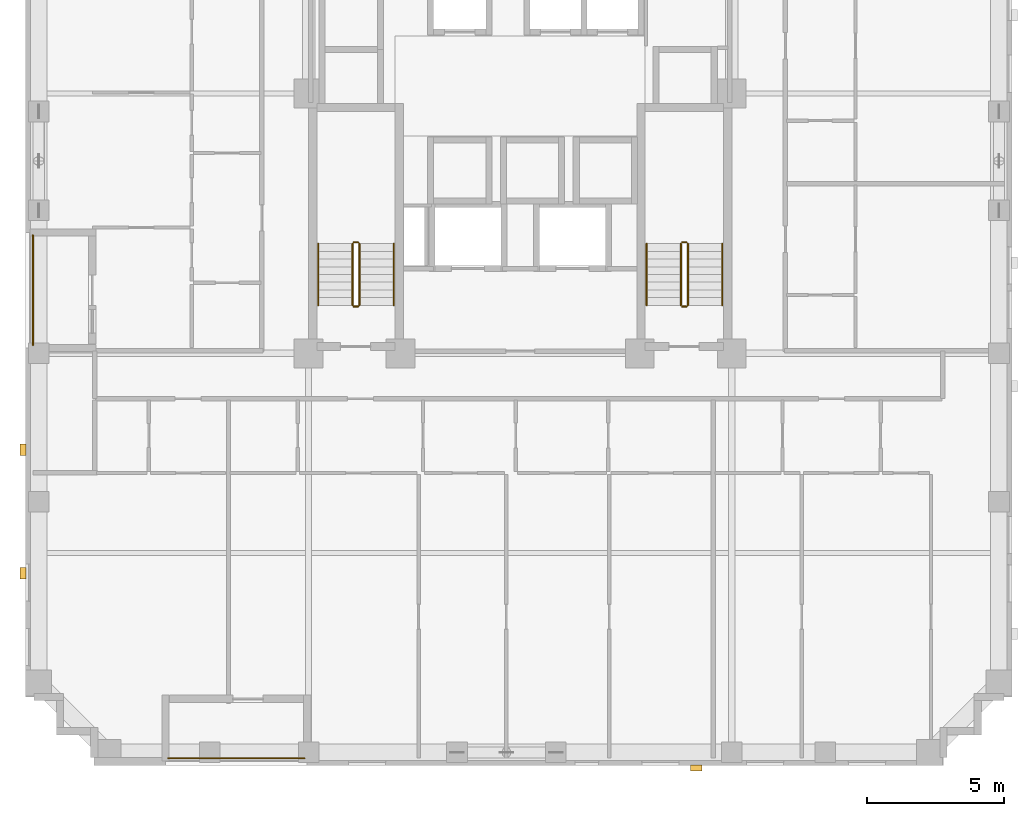
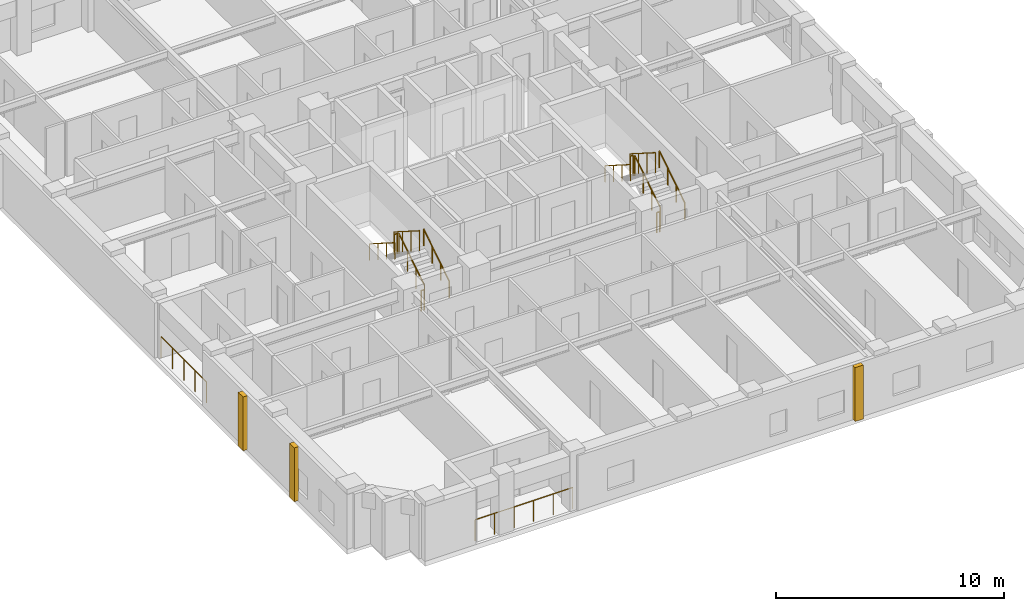
# One storey, part 11 of 12: 14 railings, 3 coverings.
"""IFC4 building model written with IfcOpenShell, lengths in metres."""

import ifcopenshell
import ifcopenshell.guid

model = None  # the IFC model being written
_history = None  # IfcOwnerHistory: only IFC2X3 demands one
_inside = {}  # id of a spatial element -> (the spatial element, [elements in it])
_under = {}  # id of a project, library or spatial element -> (it, [spatial elements below it])
_declared = {}  # id of a project -> (the project, [libraries it declares])
_typed = {}  # id of a type object -> (the type object, [elements of that type])
_made_of = {}  # id of a material, layer set ... -> (it, [elements and type objects made of it])


def new_model(schema):
    """Start an empty IFC model of exactly this schema.

    Asked for "IFC4X3", IfcOpenShell would pick the latest addendum, in which some entities
    have other attributes; the version numbers below select the first issue.
    IFC2X3 requires an IfcOwnerHistory on every rooted entity: one is made here for all.
    """
    global model, _history
    if schema == "IFC4X3":
        model = ifcopenshell.file(schema_version=(4, 3, 0, 0))
    else:
        model = ifcopenshell.file(schema=schema)
    _inside.clear()
    _under.clear()
    _declared.clear()
    _typed.clear()
    _made_of.clear()
    _history = None
    if model.schema == "IFC2X3":
        org = make("IfcOrganization", Name="unknown")
        user = make(
            "IfcPersonAndOrganization",
            ThePerson=make("IfcPerson", FamilyName="unknown"),
            TheOrganization=org,
        )
        app = make(
            "IfcApplication",
            ApplicationDeveloper=org,
            Version="unknown",
            ApplicationFullName="unknown",
            ApplicationIdentifier="unknown",
        )
        _history = make(
            "IfcOwnerHistory",
            OwningUser=user,
            OwningApplication=app,
            ChangeAction="ADDED",
            CreationDate=0,
        )
    return model


def make(cls, **values):
    """One entity of the class cls with the attributes given. An attribute that is None is left unset."""
    return model.create_entity(
        cls, **{name: value for name, value in values.items() if value is not None}
    )


def rooted(cls, **values):
    """An entity with a GlobalId (a new one), such as an element, a storey or a relation."""
    return make(cls, GlobalId=ifcopenshell.guid.new(), OwnerHistory=_history, **values)


def si_unit(unit_type, name, prefix=None):
    """IfcSIUnit, for example si_unit("LENGTHUNIT", "METRE", prefix="MILLI")."""
    return make("IfcSIUnit", UnitType=unit_type, Prefix=prefix, Name=name)


def derived_unit(unit_type, elements):
    """IfcDerivedUnit: a product of units, each with its exponent."""
    return make(
        "IfcDerivedUnit",
        Elements=[
            make("IfcDerivedUnitElement", Unit=unit, Exponent=power)
            for unit, power in elements
        ],
        UnitType=unit_type,
    )


def assignment(units):
    """IfcUnitAssignment: the units of a project."""
    return None if units is None else make("IfcUnitAssignment", Units=units)


def point(xyz):
    """IfcCartesianPoint."""
    return None if xyz is None else make("IfcCartesianPoint", Coordinates=xyz)


def direction(xyz):
    """IfcDirection."""
    return None if xyz is None else make("IfcDirection", DirectionRatios=xyz)


def frame(location, z_axis=None, x_axis=None):
    """IfcAxis2Placement3D, a coordinate frame: its origin and axes. An axis left out is left unset."""
    return make(
        "IfcAxis2Placement3D",
        Location=point(location),
        Axis=direction(z_axis),
        RefDirection=direction(x_axis),
    )


def frame_2d(location, x_axis=None):
    """IfcAxis2Placement2D, a coordinate frame in the plane: its origin and x axis."""
    return make(
        "IfcAxis2Placement2D", Location=point(location), RefDirection=direction(x_axis)
    )


def origin():
    """The frame at (0, 0, 0) with its axes left unset."""
    return frame((0.0, 0.0, 0.0))


def origin_2d():
    """The frame at (0, 0) in the plane with its x axis left unset."""
    return frame_2d((0.0, 0.0))


def place(relative_to, where):
    """IfcLocalPlacement: puts the frame where relative to a parent placement (None: the world)."""
    return make(
        "IfcLocalPlacement", PlacementRelTo=relative_to, RelativePlacement=where
    )


def context(
    kind, dimensions, precision=None, world=None, true_north=None, identifier=None
):
    """IfcGeometricRepresentationContext, for example the 3D "Model" context."""
    return make(
        "IfcGeometricRepresentationContext",
        ContextIdentifier=identifier,
        ContextType=kind,
        CoordinateSpaceDimension=dimensions,
        Precision=precision,
        WorldCoordinateSystem=world,
        TrueNorth=true_north,
    )


def subcontext(parent, identifier, kind, view, scale=None):
    """IfcGeometricRepresentationSubContext, for example "Body" below "Model"."""
    return make(
        "IfcGeometricRepresentationSubContext",
        ContextIdentifier=identifier,
        ContextType=kind,
        ParentContext=parent,
        TargetScale=scale,
        TargetView=view,
    )


def project(units=None, contexts=None):
    """IfcProject with its units and contexts."""
    return rooted(
        "IfcProject",
        Name="project",
        RepresentationContexts=contexts,
        UnitsInContext=assignment(units),
    )


def spatial(cls, under=None, at=None, **own):
    """A site, building, storey or space (cls), placed at a placement, below another one or the project."""
    s = rooted(cls, ObjectPlacement=at, **own)
    if under is not None:
        _under.setdefault(under.id(), (under, []))[1].append(s)
    return s


def profile(cls, at=None, kind="AREA", **sizes):
    """A parametric profile (cls). Its sizes go by their IFC names, for example OverallWidth=200.0."""
    return make(cls, ProfileType=kind, Position=at, **sizes)


def rectangle(**sizes):
    """IfcRectangleProfileDef."""
    return profile("IfcRectangleProfileDef", **sizes)


def circle(**sizes):
    """IfcCircleProfileDef."""
    return profile("IfcCircleProfileDef", **sizes)


def extrude(swept, where, along, depth):
    """IfcExtrudedAreaSolid: the profile swept, set in the frame where, extruded along a direction by depth."""
    return make(
        "IfcExtrudedAreaSolid",
        SweptArea=swept,
        Position=where,
        ExtrudedDirection=direction(along),
        Depth=depth,
    )


def shape(context_of_items, identifier, shape_type, items):
    """IfcShapeRepresentation: the items that make up one representation, for example the "Body"."""
    return make(
        "IfcShapeRepresentation",
        ContextOfItems=context_of_items,
        RepresentationIdentifier=identifier,
        RepresentationType=shape_type,
        Items=items,
    )


def material(Name=None, Category=None):
    """IfcMaterial."""
    return make("IfcMaterial", Name=Name, Category=Category)


def layer(
    of_material, thickness, ventilated=None, Name=None, Category=None, Priority=None
):
    """IfcMaterialLayer: one layer of a wall or slab, of a material (None: an air gap)."""
    return make(
        "IfcMaterialLayer",
        Material=of_material,
        LayerThickness=thickness,
        IsVentilated=ventilated,
        Name=Name,
        Category=Category,
        Priority=Priority,
    )


def layer_set(layers, Name=None):
    """IfcMaterialLayerSet."""
    return make("IfcMaterialLayerSet", MaterialLayers=layers, LayerSetName=Name)


def made_of(thing, what):
    """Note that an element or type object is made of a material, layer set ...; save() writes the relation."""
    if what is not None:
        _made_of.setdefault(what.id(), (what, []))[1].append(thing)
    return thing


def type_object(cls, material=None, **own):
    """A type object (cls), such as IfcWallType, which elements share."""
    return made_of(rooted(cls, **own), material)


def element(
    cls,
    number,
    at=None,
    inside=None,
    cuts=None,
    type_object=None,
    material=None,
    context=None,
    identifier="Body",
    shape_type=None,
    held_by="IfcProductDefinitionShape",
    body=None,
    shapes=None,
    **own,
):
    """One element of the class cls, such as IfcWall. Its Tag is "e" and its number.

    at: its placement. inside: the storey or other place that contains it. cuts: it is an
    opening in that element (IfcRelVoidsElement). A single representation is given by context,
    identifier, shape_type and body (its items); several are given by shapes. held_by: the class
    of the entity that holds the representations. save() writes the other relations.
    """
    e = rooted(cls, Tag="e%d" % number, ObjectPlacement=at, **own)
    if body is not None:
        shapes = [shape(context, identifier, shape_type, body)]
    if shapes is not None:
        e.Representation = make(held_by, Representations=shapes)
    if inside is not None:
        _inside.setdefault(inside.id(), (inside, []))[1].append(e)
    if cuts is not None:
        rooted(
            "IfcRelVoidsElement", RelatingBuildingElement=cuts, RelatedOpeningElement=e
        )
    if type_object is not None:
        _typed.setdefault(type_object.id(), (type_object, []))[1].append(e)
    return made_of(e, material)


def aggregate(whole, parts):
    """IfcRelAggregates: a whole, such as a stair, and the parts it consists of."""
    return rooted("IfcRelAggregates", RelatingObject=whole, RelatedObjects=parts)


def save(model, path):
    """Write the relations noted so far, then the file.

    IfcRelAggregates (storeys below a building ...), IfcRelContainedInSpatialStructure (elements
    in a storey), IfcRelDefinesByType, IfcRelAssociatesMaterial and IfcRelDeclares: one each for
    every whole, place, type object, material and project.
    """
    for whole, parts in _under.values():
        aggregate(whole, parts)
    for where, things in _inside.values():
        rooted(
            "IfcRelContainedInSpatialStructure",
            RelatedElements=things,
            RelatingStructure=where,
        )
    for kind, things in _typed.values():
        rooted("IfcRelDefinesByType", RelatedObjects=things, RelatingType=kind)
    for what, things in _made_of.values():
        rooted("IfcRelAssociatesMaterial", RelatedObjects=things, RelatingMaterial=what)
    for by, libraries in _declared.values():
        rooted("IfcRelDeclares", RelatingContext=by, RelatedDefinitions=libraries)
    model.write(path)


model = new_model("IFC4")

# Units and contexts
model_context = context("Model", 3, precision=1e-05, world=origin(), true_north=direction((0.0, 1.0)))
body_context = subcontext(model_context, "Body", "Model", "MODEL_VIEW")
ifc_project = project(units=[si_unit("LENGTHUNIT", "METRE"), si_unit("AREAUNIT", "SQUARE_METRE"), si_unit("VOLUMEUNIT", "CUBIC_METRE"), si_unit("PLANEANGLEUNIT", "RADIAN"), si_unit("MASSUNIT", "GRAM", prefix="KILO"), derived_unit("THERMALTRANSMITTANCEUNIT", [(si_unit("MASSUNIT", "GRAM", prefix="KILO"), 1), (si_unit("TIMEUNIT", "SECOND"), -3), (si_unit("THERMODYNAMICTEMPERATUREUNIT", "KELVIN"), -1)])], contexts=[model_context])

# Site, building, storey
site_placement = place(None, origin())
site = spatial("IfcSite", under=ifc_project, at=site_placement, CompositionType="ELEMENT")
building_placement = place(site_placement, origin())
building = spatial("IfcBuilding", under=site, at=building_placement, Name="Korrvale Station Residences", CompositionType="ELEMENT")
storey_placement = place(building_placement, frame((0.0, 0.0, 107.10009765625)))
storey = spatial("IfcBuildingStorey", under=building, at=storey_placement, Name="L30", CompositionType="ELEMENT", Elevation=107.10009765625)

# Coverings
ifc_material_1 = material(Name="Architectural precast concrete C45/55", Category="concrete")
ifc_layer = layer(ifc_material_1, 0.219970703125, Name="Architectural precast concrete C45/55")
ifc_layer_set = layer_set([ifc_layer], Name="Architectural precast concrete C45/55")
covering_type = type_object("IfcCoveringType", Name="COV-PIER-400", PredefinedType="CLADDING", material=ifc_layer_set)
for number, where, z_axis, x_axis, name in (
    (1, (31.89990234375, -0.090087890625, 0.02490234375), (0.0, 0.0, 1.0), (1.0, 0.0, 0.0), "L30 Architectural Precast Facade Pier 01"),
    (2, (7.409912109375, 7.0, 0.02490234375), (0.0, 0.0, 1.0), (0.0, 1.0, 0.0), "L30 Architectural Precast Facade Pier 04"),
    (3, (7.409912109375, 11.5, 0.02490234375), (0.0, 0.0, 1.0), (0.0, 1.0, 0.0), "L30 Architectural Precast Facade Pier 05"),
):
    element("IfcCovering", number, at=place(storey_placement, frame(where, z_axis=z_axis, x_axis=x_axis)), inside=storey, type_object=covering_type, Name=name, PredefinedType="CLADDING", context=body_context, shape_type="SweptSolid", body=[
        extrude(rectangle(XDim=0.419921875, YDim=0.219970703125, at=origin_2d()), origin(), (0.0, 0.0, 1.0), 2.889892578125),
    ])

# Railings
ifc_material_2 = material(Name="Powder-coated aluminium picket loggia guard", Category="aluminium")
railing_type_1 = type_object("IfcRailingType", Name="RLG-BAL-1150", PredefinedType="GUARDRAIL", material=ifc_material_2)
railing_1_placement = place(storey_placement, frame((12.699951171875, 0.27001953125, 0.0)))
element("IfcRailing", 4, at=railing_1_placement, inside=storey, type_object=railing_type_1, Name="L30 Recessed Loggia Guardrail BAL-L30-S1", PredefinedType="GUARDRAIL", context=body_context, shape_type="SweptSolid", body=[
    extrude(circle(Radius=0.02392578125, at=origin_2d()), frame((0.0, 0.0, 1.1259765625), z_axis=(1.0, 0.0, 0.0), x_axis=(0.0, 1.0, 0.0)), (0.0, 0.0, 1.0), 4.949951171875),
    extrude(circle(Radius=0.02099609375, at=origin_2d()), origin(), (0.0, 0.0, 1.0), 1.101806640625),
    extrude(circle(Radius=0.02099609375, at=origin_2d()), frame((0.989990234375, 0.0, 0.0)), (0.0, 0.0, 1.0), 1.101806640625),
    extrude(circle(Radius=0.02099609375, at=origin_2d()), frame((1.97998046875, 0.0, 0.0)), (0.0, 0.0, 1.0), 1.101806640625),
    extrude(circle(Radius=0.02099609375, at=origin_2d()), frame((2.969970703125, 0.0, 0.0)), (0.0, 0.0, 1.0), 1.101806640625),
    extrude(circle(Radius=0.02099609375, at=origin_2d()), frame((3.9599609375, 0.0, 0.0)), (0.0, 0.0, 1.0), 1.101806640625),
    extrude(circle(Radius=0.02099609375, at=origin_2d()), frame((4.949951171875, 0.0, 0.0)), (0.0, 0.0, 1.0), 1.101806640625),
])
railing_2_placement = place(storey_placement, frame((7.77001953125, 15.300048828125, 0.0)))
element("IfcRailing", 5, at=railing_2_placement, inside=storey, type_object=railing_type_1, Name="L30 Recessed Loggia Guardrail BAL-L30-W1", PredefinedType="GUARDRAIL", context=body_context, shape_type="SweptSolid", body=[
    extrude(circle(Radius=0.02392578125, at=origin_2d()), frame((0.0, 0.0, 1.1259765625), z_axis=(0.0, 1.0, 0.0), x_axis=(-1.0, 0.0, 0.0)), (0.0, 0.0, 1.0), 4.0),
    extrude(circle(Radius=0.02099609375, at=origin_2d()), origin(), (0.0, 0.0, 1.0), 1.101806640625),
    extrude(circle(Radius=0.02099609375, at=origin_2d()), frame((0.0, 1.0, 0.0)), (0.0, 0.0, 1.0), 1.101806640625),
    extrude(circle(Radius=0.02099609375, at=origin_2d()), frame((0.0, 2.0, 0.0)), (0.0, 0.0, 1.0), 1.101806640625),
    extrude(circle(Radius=0.02099609375, at=origin_2d()), frame((0.0, 3.0, 0.0)), (0.0, 0.0, 1.0), 1.101806640625),
    extrude(circle(Radius=0.02099609375, at=origin_2d()), frame((0.0, 4.0, 0.0)), (0.0, 0.0, 1.0), 1.101806640625),
])
ifc_material_3 = material(Name="Brushed stainless-steel continuous stair handrail", Category="steel")
railing_type_2 = type_object("IfcRailingType", Name="RLG-SHND-900", PredefinedType="HANDRAIL", material=ifc_material_3)
railing_3_placement = place(storey_placement, frame((20.89990234375, 16.75, 0.177734375)))
element("IfcRailing", 6, at=railing_3_placement, inside=storey, type_object=railing_type_2, Name="L30 ST-1 stair handrail 1", PredefinedType="HANDRAIL", context=body_context, shape_type="SweptSolid", body=[
    extrude(circle(Radius=0.02392578125, at=origin_2d()), frame((0.0, 0.0, 0.8759765625), z_axis=(0.0, 0.8442293374, 0.53598211339), x_axis=(-1.0, 0.0, 0.0)), (0.0, 0.0, 1.0), 2.6533203125),
    extrude(circle(Radius=0.02099609375, at=origin_2d()), origin(), (0.0, 0.0, 1.0), 0.851806640625),
    extrude(circle(Radius=0.02099609375, at=origin_2d()), frame((0.0, 0.74658203125, 0.47412109375)), (0.0, 0.0, 1.0), 0.851806640625),
    extrude(circle(Radius=0.02099609375, at=origin_2d()), frame((0.0, 1.493408203125, 0.947998046875)), (0.0, 0.0, 1.0), 0.851806640625),
    extrude(circle(Radius=0.02099609375, at=origin_2d()), frame((0.0, 2.239990234375, 1.422119140625)), (0.0, 0.0, 1.0), 0.851806640625),
])
railing_4_placement = place(storey_placement, frame((18.14990234375, 18.989990234375, 1.777587890625)))
element("IfcRailing", 7, at=railing_4_placement, inside=storey, type_object=railing_type_2, Name="L30 ST-1 stair handrail 2", PredefinedType="HANDRAIL", context=body_context, shape_type="SweptSolid", body=[
    extrude(circle(Radius=0.02392578125, at=origin_2d()), frame((0.0, 0.0, 0.8759765625), z_axis=(0.0, -0.84418770128, 0.536047689118), x_axis=(1.0, 0.0, 0.0)), (0.0, 0.0, 1.0), 2.6533203125),
    extrude(circle(Radius=0.02099609375, at=origin_2d()), origin(), (0.0, 0.0, 1.0), 0.851806640625),
    extrude(circle(Radius=0.02099609375, at=origin_2d()), frame((0.0, -0.74658203125, 0.47412109375)), (0.0, 0.0, 1.0), 0.851806640625),
    extrude(circle(Radius=0.02099609375, at=origin_2d()), frame((0.0, -1.493408203125, 0.9482421875)), (0.0, 0.0, 1.0), 0.851806640625),
    extrude(circle(Radius=0.02099609375, at=origin_2d()), frame((0.0, -2.239990234375, 1.42236328125)), (0.0, 0.0, 1.0), 0.851806640625),
])
railing_5_placement = place(storey_placement, frame((32.85009765625, 16.75, 0.177734375)))
element("IfcRailing", 8, at=railing_5_placement, inside=storey, type_object=railing_type_2, Name="L30 ST-2 stair handrail 1", PredefinedType="HANDRAIL", context=body_context, shape_type="SweptSolid", body=[
    extrude(circle(Radius=0.02392578125, at=origin_2d()), frame((0.0, 0.0, 0.8759765625), z_axis=(0.0, 0.8442293374, 0.53598211339), x_axis=(-1.0, 0.0, 0.0)), (0.0, 0.0, 1.0), 2.6533203125),
    extrude(circle(Radius=0.02099609375, at=origin_2d()), origin(), (0.0, 0.0, 1.0), 0.851806640625),
    extrude(circle(Radius=0.02099609375, at=origin_2d()), frame((0.0, 0.74658203125, 0.47412109375)), (0.0, 0.0, 1.0), 0.851806640625),
    extrude(circle(Radius=0.02099609375, at=origin_2d()), frame((0.0, 1.493408203125, 0.947998046875)), (0.0, 0.0, 1.0), 0.851806640625),
    extrude(circle(Radius=0.02099609375, at=origin_2d()), frame((0.0, 2.239990234375, 1.422119140625)), (0.0, 0.0, 1.0), 0.851806640625),
])
railing_6_placement = place(storey_placement, frame((30.10009765625, 18.989990234375, 1.777587890625)))
element("IfcRailing", 9, at=railing_6_placement, inside=storey, type_object=railing_type_2, Name="L30 ST-2 stair handrail 2", PredefinedType="HANDRAIL", context=body_context, shape_type="SweptSolid", body=[
    extrude(circle(Radius=0.02392578125, at=origin_2d()), frame((0.0, 0.0, 0.8759765625), z_axis=(0.0, -0.84418770128, 0.536047689118), x_axis=(1.0, 0.0, 0.0)), (0.0, 0.0, 1.0), 2.6533203125),
    extrude(circle(Radius=0.02099609375, at=origin_2d()), origin(), (0.0, 0.0, 1.0), 0.851806640625),
    extrude(circle(Radius=0.02099609375, at=origin_2d()), frame((0.0, -0.74658203125, 0.47412109375)), (0.0, 0.0, 1.0), 0.851806640625),
    extrude(circle(Radius=0.02099609375, at=origin_2d()), frame((0.0, -1.493408203125, 0.9482421875)), (0.0, 0.0, 1.0), 0.851806640625),
    extrude(circle(Radius=0.02099609375, at=origin_2d()), frame((0.0, -2.239990234375, 1.42236328125)), (0.0, 0.0, 1.0), 0.851806640625),
])
ifc_material_4 = material(Name="Galvanised painted tubular steel stair guard", Category="steel")
railing_type_3 = type_object("IfcRailingType", Name="RLG-STR-1100", PredefinedType="GUARDRAIL", material=ifc_material_4)
railing_7_placement = place(storey_placement, frame((19.64990234375, 16.75, 0.177734375)))
element("IfcRailing", 10, at=railing_7_placement, inside=storey, type_object=railing_type_3, Name="L30 ST-1 stair guard 1", PredefinedType="GUARDRAIL", context=body_context, shape_type="SweptSolid", body=[
    extrude(circle(Radius=0.02392578125, at=origin_2d()), frame((0.0, 0.0, 1.076171875), z_axis=(0.0, 0.8442293374, 0.53598211339), x_axis=(-1.0, 0.0, 0.0)), (0.0, 0.0, 1.0), 2.6533203125),
    extrude(circle(Radius=0.02099609375, at=origin_2d()), origin(), (0.0, 0.0, 1.0), 1.052001953125),
    extrude(circle(Radius=0.02099609375, at=origin_2d()), frame((0.0, 0.74658203125, 0.47412109375)), (0.0, 0.0, 1.0), 1.052001953125),
    extrude(circle(Radius=0.02099609375, at=origin_2d()), frame((0.0, 1.493408203125, 0.947998046875)), (0.0, 0.0, 1.0), 1.052001953125),
    extrude(circle(Radius=0.02099609375, at=origin_2d()), frame((0.0, 2.239990234375, 1.422119140625)), (0.0, 0.0, 1.0), 1.052001953125),
])
railing_8_placement = place(storey_placement, frame((19.60009765625, 19.0400390625, 1.599853515625)))
element("IfcRailing", 11, at=railing_8_placement, inside=storey, type_object=railing_type_3, Name="L30 ST-1 stair guard 2", PredefinedType="GUARDRAIL", context=body_context, shape_type="SweptSolid", body=[
    extrude(circle(Radius=0.02392578125, at=origin_2d()), frame((0.0, 0.0, 1.076171875), z_axis=(-1.0, 0.0, 0.0), x_axis=(0.0, -1.0, 0.0)), (0.0, 0.0, 1.0), 0.150146484375),
    extrude(circle(Radius=0.02099609375, at=origin_2d()), origin(), (0.0, 0.0, 1.0), 1.052001953125),
    extrude(circle(Radius=0.02099609375, at=origin_2d()), frame((-0.150146484375, 0.0, 0.0)), (0.0, 0.0, 1.0), 1.052001953125),
])
railing_9_placement = place(storey_placement, frame((19.39990234375, 18.989990234375, 1.777587890625)))
element("IfcRailing", 12, at=railing_9_placement, inside=storey, type_object=railing_type_3, Name="L30 ST-1 stair guard 3", PredefinedType="GUARDRAIL", context=body_context, shape_type="SweptSolid", body=[
    extrude(circle(Radius=0.02392578125, at=origin_2d()), frame((0.0, 0.0, 1.076171875), z_axis=(0.0, -0.84418770128, 0.536047689118), x_axis=(1.0, 0.0, 0.0)), (0.0, 0.0, 1.0), 2.6533203125),
    extrude(circle(Radius=0.02099609375, at=origin_2d()), origin(), (0.0, 0.0, 1.0), 1.052001953125),
    extrude(circle(Radius=0.02099609375, at=origin_2d()), frame((0.0, -0.74658203125, 0.47412109375)), (0.0, 0.0, 1.0), 1.052001953125),
    extrude(circle(Radius=0.02099609375, at=origin_2d()), frame((0.0, -1.493408203125, 0.9482421875)), (0.0, 0.0, 1.0), 1.052001953125),
    extrude(circle(Radius=0.02099609375, at=origin_2d()), frame((0.0, -2.239990234375, 1.42236328125)), (0.0, 0.0, 1.0), 1.052001953125),
])
railing_10_placement = place(storey_placement, frame((19.60009765625, 16.699951171875, 0.0)))
element("IfcRailing", 13, at=railing_10_placement, inside=storey, type_object=railing_type_3, Name="L30 ST-1 stair guard 4", PredefinedType="GUARDRAIL", context=body_context, shape_type="SweptSolid", body=[
    extrude(circle(Radius=0.02392578125, at=origin_2d()), frame((0.0, 0.0, 1.076171875), z_axis=(-1.0, 0.0, 0.0), x_axis=(0.0, -1.0, 0.0)), (0.0, 0.0, 1.0), 0.150146484375),
    extrude(circle(Radius=0.02099609375, at=origin_2d()), origin(), (0.0, 0.0, 1.0), 1.052001953125),
    extrude(circle(Radius=0.02099609375, at=origin_2d()), frame((-0.150146484375, 0.0, 0.0)), (0.0, 0.0, 1.0), 1.052001953125),
])
railing_11_placement = place(storey_placement, frame((31.60009765625, 16.75, 0.177734375)))
element("IfcRailing", 14, at=railing_11_placement, inside=storey, type_object=railing_type_3, Name="L30 ST-2 stair guard 1", PredefinedType="GUARDRAIL", context=body_context, shape_type="SweptSolid", body=[
    extrude(circle(Radius=0.02392578125, at=origin_2d()), frame((0.0, 0.0, 1.076171875), z_axis=(0.0, 0.8442293374, 0.53598211339), x_axis=(-1.0, 0.0, 0.0)), (0.0, 0.0, 1.0), 2.6533203125),
    extrude(circle(Radius=0.02099609375, at=origin_2d()), origin(), (0.0, 0.0, 1.0), 1.052001953125),
    extrude(circle(Radius=0.02099609375, at=origin_2d()), frame((0.0, 0.74658203125, 0.47412109375)), (0.0, 0.0, 1.0), 1.052001953125),
    extrude(circle(Radius=0.02099609375, at=origin_2d()), frame((0.0, 1.493408203125, 0.947998046875)), (0.0, 0.0, 1.0), 1.052001953125),
    extrude(circle(Radius=0.02099609375, at=origin_2d()), frame((0.0, 2.239990234375, 1.422119140625)), (0.0, 0.0, 1.0), 1.052001953125),
])
railing_12_placement = place(storey_placement, frame((31.550048828125, 19.0400390625, 1.599853515625)))
element("IfcRailing", 15, at=railing_12_placement, inside=storey, type_object=railing_type_3, Name="L30 ST-2 stair guard 2", PredefinedType="GUARDRAIL", context=body_context, shape_type="SweptSolid", body=[
    extrude(circle(Radius=0.02392578125, at=origin_2d()), frame((0.0, 0.0, 1.076171875), z_axis=(-1.0, 0.0, 0.0), x_axis=(0.0, -1.0, 0.0)), (0.0, 0.0, 1.0), 0.150146484375),
    extrude(circle(Radius=0.02099609375, at=origin_2d()), origin(), (0.0, 0.0, 1.0), 1.052001953125),
    extrude(circle(Radius=0.02099609375, at=origin_2d()), frame((-0.150146484375, 0.0, 0.0)), (0.0, 0.0, 1.0), 1.052001953125),
])
railing_13_placement = place(storey_placement, frame((31.35009765625, 18.989990234375, 1.777587890625)))
element("IfcRailing", 16, at=railing_13_placement, inside=storey, type_object=railing_type_3, Name="L30 ST-2 stair guard 3", PredefinedType="GUARDRAIL", context=body_context, shape_type="SweptSolid", body=[
    extrude(circle(Radius=0.02392578125, at=origin_2d()), frame((0.0, 0.0, 1.076171875), z_axis=(0.0, -0.84418770128, 0.536047689118), x_axis=(1.0, 0.0, 0.0)), (0.0, 0.0, 1.0), 2.6533203125),
    extrude(circle(Radius=0.02099609375, at=origin_2d()), origin(), (0.0, 0.0, 1.0), 1.052001953125),
    extrude(circle(Radius=0.02099609375, at=origin_2d()), frame((0.0, -0.74658203125, 0.47412109375)), (0.0, 0.0, 1.0), 1.052001953125),
    extrude(circle(Radius=0.02099609375, at=origin_2d()), frame((0.0, -1.493408203125, 0.9482421875)), (0.0, 0.0, 1.0), 1.052001953125),
    extrude(circle(Radius=0.02099609375, at=origin_2d()), frame((0.0, -2.239990234375, 1.42236328125)), (0.0, 0.0, 1.0), 1.052001953125),
])
railing_14_placement = place(storey_placement, frame((31.550048828125, 16.699951171875, 0.0)))
element("IfcRailing", 17, at=railing_14_placement, inside=storey, type_object=railing_type_3, Name="L30 ST-2 stair guard 4", PredefinedType="GUARDRAIL", context=body_context, shape_type="SweptSolid", body=[
    extrude(circle(Radius=0.02392578125, at=origin_2d()), frame((0.0, 0.0, 1.076171875), z_axis=(-1.0, 0.0, 0.0), x_axis=(0.0, -1.0, 0.0)), (0.0, 0.0, 1.0), 0.150146484375),
    extrude(circle(Radius=0.02099609375, at=origin_2d()), origin(), (0.0, 0.0, 1.0), 1.052001953125),
    extrude(circle(Radius=0.02099609375, at=origin_2d()), frame((-0.150146484375, 0.0, 0.0)), (0.0, 0.0, 1.0), 1.052001953125),
])

save(model, "model.ifc")
